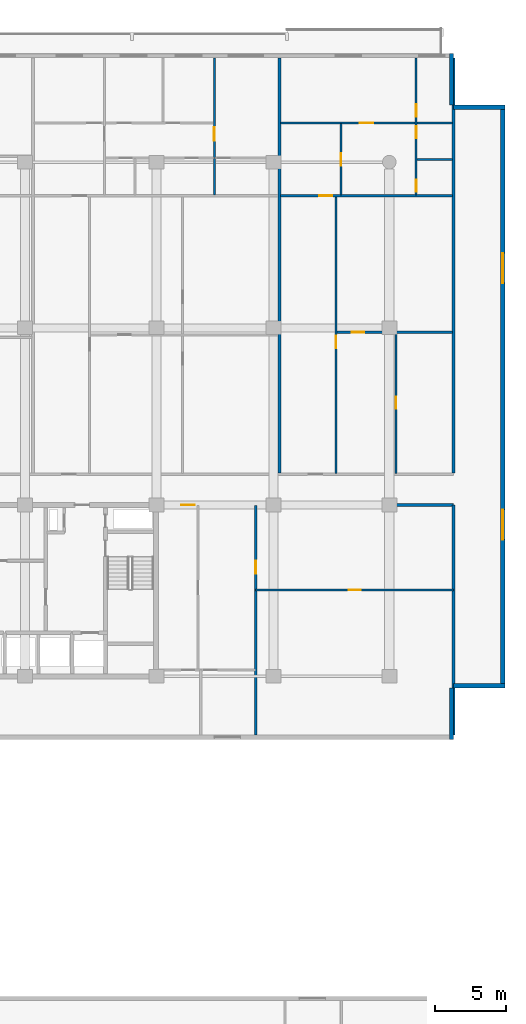
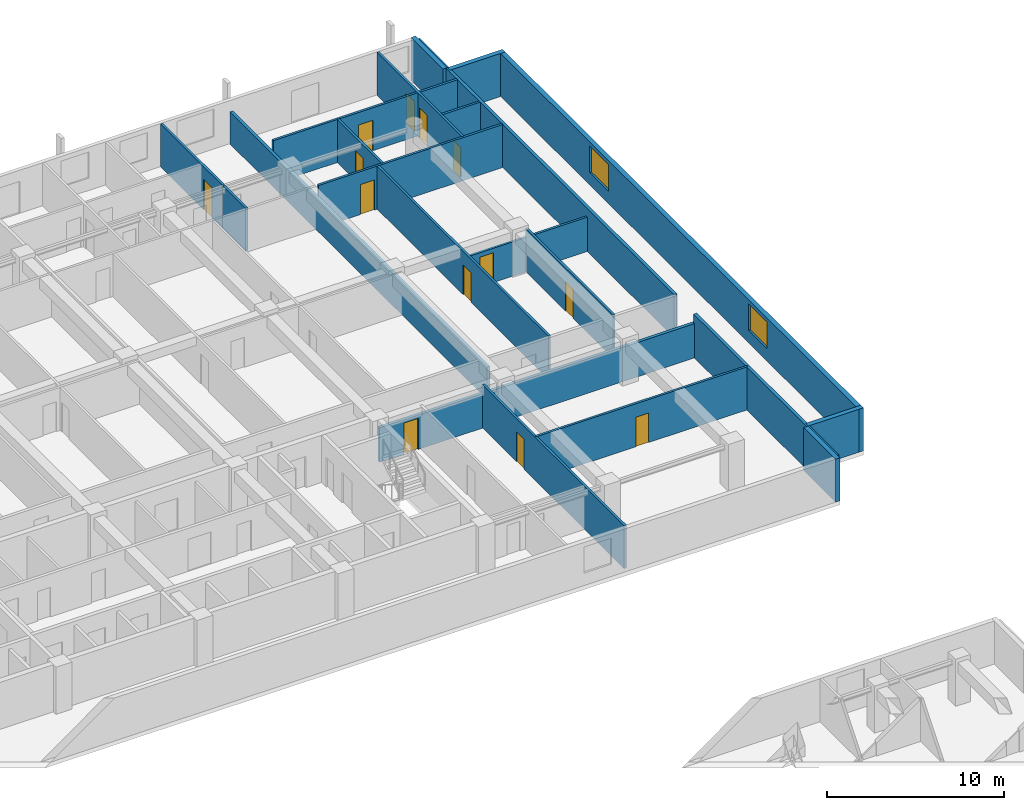
# One storey, part 17 of 23: 21 walls, 13 doors, 2 windows, 15 openings.
"""IFC4 building model written with IfcOpenShell, lengths in metres."""

from ifc_helpers import new_model, si_unit, direction, frame, frame_2d, origin, place, context, subcontext, project, spatial, rectangle, extrude, material, layer, layer_set, type_object, element, fill, save


model = new_model("IFC4")

# Units and contexts
model_context = context("Model", 3, precision=1e-05, world=origin(), true_north=direction((0.0, 1.0)))
body_context = subcontext(model_context, "Body", "Model", "MODEL_VIEW")
ifc_project = project(units=[si_unit("LENGTHUNIT", "METRE"), si_unit("AREAUNIT", "SQUARE_METRE"), si_unit("VOLUMEUNIT", "CUBIC_METRE"), si_unit("PLANEANGLEUNIT", "RADIAN"), si_unit("MASSUNIT", "GRAM", prefix="KILO")], contexts=[model_context])

# Site, building, storey
site_placement = place(None, origin())
site = spatial("IfcSite", under=ifc_project, at=site_placement, CompositionType="ELEMENT")
building_placement = place(site_placement, origin())
building = spatial("IfcBuilding", under=site, at=building_placement, Name="Korimba Cascade Residences", CompositionType="ELEMENT")
storey_placement = place(building_placement, frame((0.0, 0.0, 46.75)))
storey = spatial("IfcBuildingStorey", under=building, at=storey_placement, Name="L12", CompositionType="ELEMENT", Elevation=46.75)

# Walls
ifc_material_1 = material(Name="Precast concrete C40/50", Category="concrete")
ifc_layer_1 = layer(ifc_material_1, 0.300048828125)
ifc_layer_set_1 = layer_set([ifc_layer_1], Name="Precast concrete C40/50")
wall_type_1 = type_object("IfcWallType", Name="EW-STONE-300", PredefinedType="STANDARD", material=ifc_layer_set_1)
wall_1_placement = place(storey_placement, frame((132.75, 50.800048828125, 0.0), z_axis=(0.0, 0.0, 1.0), x_axis=(0.0, 1.0, 0.0)))
element("IfcWall", 1, at=wall_1_placement, inside=storey, type_object=wall_type_1, Name="L12 T1 Perimeter Stone Wall E01", PredefinedType="STANDARD", context=body_context, shape_type="SweptSolid", body=[
    extrude(rectangle(XDim=3.599853515625, YDim=0.300048828125, at=frame_2d((1.7998046875, 0.0))), origin(), (0.0, 0.0, 1.0), 2.969970703125),
])
wall_2_placement = place(storey_placement, frame((132.89990234375, 54.550048828125, 0.0), z_axis=(0.0, 0.0, 1.0), x_axis=(1.0, 0.0, 0.0)))
element("IfcWall", 2, at=wall_2_placement, inside=storey, type_object=wall_type_1, Name="L12 T1 Perimeter Stone Wall E02", PredefinedType="STANDARD", context=body_context, shape_type="SweptSolid", body=[
    extrude(rectangle(XDim=3.60009765625, YDim=0.300048828125, at=frame_2d((1.800048828125, 0.0))), origin(), (0.0, 0.0, 1.0), 2.969970703125),
])

# Wall, openings, windows
wall_3_placement = place(storey_placement, frame((136.35009765625, 54.39990234375, 0.0), z_axis=(0.0, 0.0, 1.0), x_axis=(0.0, 1.0, 0.0)))
wall_3 = element("IfcWall", 3, at=wall_3_placement, inside=storey, type_object=wall_type_1, Name="L12 T1 Perimeter Stone Wall E03", PredefinedType="STANDARD", context=body_context, shape_type="SweptSolid", body=[
    extrude(rectangle(XDim=40.800048828125, YDim=0.300048828125, at=frame_2d((20.39990234375, 0.0))), origin(), (0.0, 0.0, 1.0), 2.969970703125),
])
opening_1_placement = place(wall_3_placement, frame((10.3740234375, 0.0, 0.85009765625)))
opening_1 = element("IfcOpeningElement", 4, at=opening_1_placement, cuts=wall_3, Name="Opening W-03", PredefinedType="OPENING", context=body_context, shape_type="SweptSolid", body=[
    extrude(rectangle(XDim=2.10009765625, YDim=1.85009765625, at=frame_2d((1.050048828125, 0.925048828125))), frame((0.0, 0.16015625, 0.0), z_axis=(0.0, -1.0, 0.0), x_axis=(1.0, 0.0, 0.0)), (0.0, 0.0, 1.0), 0.320068359375),
])
opening_2_placement = place(wall_3_placement, frame((28.325927734375, 0.0, 0.85009765625)))
opening_2 = element("IfcOpeningElement", 5, at=opening_2_placement, cuts=wall_3, Name="Opening W-03", PredefinedType="OPENING", context=body_context, shape_type="SweptSolid", body=[
    extrude(rectangle(XDim=2.10009765625, YDim=1.85009765625, at=frame_2d((1.050048828125, 0.925048828125))), frame((0.0, 0.16015625, 0.0), z_axis=(0.0, -1.0, 0.0), x_axis=(1.0, 0.0, 0.0)), (0.0, 0.0, 1.0), 0.320068359375),
])
ifc_material_2 = material(Name="Double-Glazed Aluminium Window", Category="aluminium")
window_type = type_object("IfcWindowType", Name="WIN-CRN-2100", PartitioningType="DOUBLE_PANEL_HORIZONTAL", PredefinedType="WINDOW", material=ifc_material_2)
window_1_placement = place(opening_1_placement, origin())
window_1 = element("IfcWindow", 6, at=window_1_placement, inside=storey, type_object=window_type, Name="L12 T1 End View Window 3.1", OverallHeight=1.85009765625, OverallWidth=2.10009765625, PartitioningType="DOUBLE_PANEL_HORIZONTAL", PredefinedType="WINDOW", context=body_context, shape_type="SweptSolid", body=[
    extrude(rectangle(XDim=2.10009765625, YDim=1.85009765625, at=frame_2d((1.050048828125, 0.925048828125))), frame((0.0, 0.030029296875, 0.0), z_axis=(0.0, -1.0, 0.0), x_axis=(1.0, 0.0, 0.0)), (0.0, 0.0, 1.0), 0.06005859375),
])
fill(opening_1, window_1)
window_2_placement = place(opening_2_placement, origin())
window_2 = element("IfcWindow", 7, at=window_2_placement, inside=storey, type_object=window_type, Name="L12 T1 End View Window 3.2", OverallHeight=1.85009765625, OverallWidth=2.10009765625, PartitioningType="DOUBLE_PANEL_HORIZONTAL", PredefinedType="WINDOW", context=body_context, shape_type="SweptSolid", body=[
    extrude(rectangle(XDim=2.10009765625, YDim=1.85009765625, at=frame_2d((1.050048828125, 0.925048828125))), frame((0.0, 0.030029296875, 0.0), z_axis=(0.0, -1.0, 0.0), x_axis=(1.0, 0.0, 0.0)), (0.0, 0.0, 1.0), 0.06005859375),
])
fill(opening_2, window_2)

# Walls
for number, where, z_axis, x_axis, name in (
    (8, (136.5, 95.050048828125, 0.0), (0.0, 0.0, 1.0), (-1.0, 0.0, 0.0), "L12 T1 Perimeter Stone Wall E04"),
    (9, (132.75, 95.199951171875, 0.0), (0.0, 0.0, 1.0), (0.0, 1.0, 0.0), "L12 T1 Perimeter Stone Wall E05"),
):
    element("IfcWall", number, at=place(storey_placement, frame(where, z_axis=z_axis, x_axis=x_axis)), inside=storey, type_object=wall_type_1, Name=name, PredefinedType="STANDARD", context=body_context, shape_type="SweptSolid", body=[
        extrude(rectangle(XDim=3.60009765625, YDim=0.300048828125, at=frame_2d((1.800048828125, 0.0))), origin(), (0.0, 0.0, 1.0), 2.969970703125),
    ])
ifc_layer_2 = layer(ifc_material_1, 0.199951171875)
ifc_layer_set_2 = layer_set([ifc_layer_2], Name="Precast concrete C40/50")
wall_type_2 = type_object("IfcWallType", Name="WAL-IT-200", PredefinedType="PARTITIONING", material=ifc_layer_set_2)
wall_4_placement = place(storey_placement, frame((132.89990234375, 51.10009765625, 0.0), z_axis=(0.0, 0.0, 1.0), x_axis=(0.0, 1.0, 0.0)))
element("IfcWall", 10, at=wall_4_placement, inside=storey, type_object=wall_type_2, Name="L12 Partition Wall WAL-L12-T1-FE-WR", PredefinedType="PARTITIONING", context=body_context, shape_type="SweptSolid", body=[
    extrude(rectangle(XDim=16.099853515625, YDim=0.199951171875, at=frame_2d((8.0498046875, 0.0))), origin(), (0.0, 0.0, 1.0), 2.969970703125),
])

# Wall, opening, door
wall_5_placement = place(storey_placement, frame((112.25, 67.199951171875, 0.0), z_axis=(0.0, 0.0, 1.0), x_axis=(1.0, 0.0, 0.0)))
wall_5 = element("IfcWall", 11, at=wall_5_placement, inside=storey, type_object=wall_type_2, Name="L12 Partition Wall WAL-L12-T1-FE-N", PredefinedType="PARTITIONING", context=body_context, shape_type="SweptSolid", body=[
    extrude(rectangle(XDim=20.64990234375, YDim=0.199951171875, at=frame_2d((10.324951171875, 0.0))), origin(), (0.0, 0.0, 1.0), 2.3701171875),
])
opening_3_placement = place(wall_5_placement, frame((1.580078125, 0.0, 0.0)))
opening_3 = element("IfcOpeningElement", 12, at=opening_3_placement, cuts=wall_5, Name="Opening D-UN1", PredefinedType="OPENING", context=body_context, shape_type="SweptSolid", body=[
    extrude(rectangle(XDim=0.949951171875, YDim=2.14990234375, at=frame_2d((0.47509765625, 1.074951171875))), frame((0.0, 0.10986328125, 0.0), z_axis=(0.0, -1.0, 0.0), x_axis=(1.0, 0.0, 0.0)), (0.0, 0.0, 1.0), 0.219970703125),
])
ifc_material_3 = material(Name="Fire-Rated Hardwood Apartment Entrance Door", Category="wood")
door_type_1 = type_object("IfcDoorType", Name="DR-FD60-950", OperationType="NOTDEFINED", PredefinedType="DOOR", material=ifc_material_3)
door_1_placement = place(opening_3_placement, origin())
door_1 = element("IfcDoor", 13, at=door_1_placement, inside=storey, type_object=door_type_1, Name="L12-T1-FE Entrance Door", OperationType="SINGLE_SWING_LEFT", OverallHeight=2.14990234375, OverallWidth=0.949951171875, PredefinedType="DOOR", context=body_context, shape_type="SweptSolid", body=[
    extrude(rectangle(XDim=0.949951171875, YDim=2.14990234375, at=frame_2d((0.47509765625, 1.074951171875))), frame((0.0, 0.02490234375, 0.0), z_axis=(0.0, -1.0, 0.0), x_axis=(1.0, 0.0, 0.0)), (0.0, 0.0, 1.0), 0.050048828125),
])
fill(opening_3, door_1)

# Walls
wall_6_placement = place(storey_placement, frame((132.89990234375, 69.429931640625, 0.0), z_axis=(0.0, 0.0, 1.0), x_axis=(0.0, 1.0, 0.0)))
element("IfcWall", 14, at=wall_6_placement, inside=storey, type_object=wall_type_2, Name="L12 Partition Wall WAL-L12-T1-BNDWR", PredefinedType="PARTITIONING", context=body_context, shape_type="SweptSolid", body=[
    extrude(rectangle(XDim=29.070068359375, YDim=0.199951171875, at=frame_2d((14.53515625, 0.0))), origin(), (0.0, 0.0, 1.0), 2.969970703125),
])
wall_7_placement = place(storey_placement, frame((120.70458984375, 69.429931640625, 0.0), z_axis=(0.0, 0.0, 1.0), x_axis=(0.0, 1.0, 0.0)))
element("IfcWall", 15, at=wall_7_placement, inside=storey, type_object=wall_type_2, Name="L12 Partition Wall WAL-L12-T1-DEM-4", PredefinedType="PARTITIONING", context=body_context, shape_type="SweptSolid", body=[
    extrude(rectangle(XDim=29.070068359375, YDim=0.199951171875, at=frame_2d((14.53515625, 0.0))), origin(), (0.0, 0.0, 1.0), 2.219970703125),
])

# Wall, opening, door
ifc_material_4 = material(Name="Insulated Acoustic Stud Partition", Category="gypsum")
ifc_layer_3 = layer(ifc_material_4, 0.14990234375)
ifc_layer_set_3 = layer_set([ifc_layer_3], Name="Insulated Acoustic Stud Partition")
wall_type_3 = type_object("IfcWallType", Name="WAL-PART-150", PredefinedType="PARTITIONING", material=ifc_layer_set_3)
wall_8_placement = place(storey_placement, frame((119.050048828125, 61.25, 0.0), z_axis=(0.0, 0.0, 1.0), x_axis=(1.0, 0.0, 0.0)))
wall_8 = element("IfcWall", 16, at=wall_8_placement, inside=storey, type_object=wall_type_3, Name="L12 Partition Wall WAL-L12-T1-FE-STH", PredefinedType="PARTITIONING", context=body_context, shape_type="SweptSolid", body=[
    extrude(rectangle(XDim=13.849853515625, YDim=0.14990234375, at=frame_2d((6.9248046875, 0.0))), origin(), (0.0, 0.0, 1.0), 2.969970703125),
])
opening_4_placement = place(wall_8_placement, frame((6.5048828125, 0.0, 0.0)))
opening_4 = element("IfcOpeningElement", 17, at=opening_4_placement, cuts=wall_8, Name="Opening D-BT1", PredefinedType="OPENING", context=body_context, shape_type="SweptSolid", body=[
    extrude(rectangle(XDim=0.840087890625, YDim=2.0400390625, at=frame_2d((0.419921875, 1.02001953125))), frame((0.0, 0.0849609375, 0.0), z_axis=(0.0, -1.0, 0.0), x_axis=(1.0, 0.0, 0.0)), (0.0, 0.0, 1.0), 0.169921875),
])
ifc_material_5 = material(Name="Moisture-Resistant Bathroom Timber Door", Category="wood")
door_type_2 = type_object("IfcDoorType", Name="DR-INT-850", OperationType="NOTDEFINED", PredefinedType="DOOR", material=ifc_material_5)
door_2_placement = place(opening_4_placement, origin())
door_2 = element("IfcDoor", 18, at=door_2_placement, inside=storey, type_object=door_type_2, Name="L12-T1-FE Dressing Store Door", OperationType="SINGLE_SWING_RIGHT", OverallHeight=2.0400390625, OverallWidth=0.840087890625, PredefinedType="DOOR", context=body_context, shape_type="SweptSolid", body=[
    extrude(rectangle(XDim=0.840087890625, YDim=2.0400390625, at=frame_2d((0.419921875, 1.02001953125))), frame((0.0, 0.02490234375, 0.0), z_axis=(0.0, -1.0, 0.0), x_axis=(1.0, 0.0, 0.0)), (0.0, 0.0, 1.0), 0.050048828125),
])
fill(opening_4, door_2)

wall_9_placement = place(storey_placement, frame((119.050048828125, 51.10009765625, 0.0), z_axis=(0.0, 0.0, 1.0), x_axis=(0.0, 1.0, 0.0)))
wall_9 = element("IfcWall", 19, at=wall_9_placement, inside=storey, type_object=wall_type_3, Name="L12 Partition Wall WAL-L12-T1-FE-STV", PredefinedType="PARTITIONING", context=body_context, shape_type="SweptSolid", body=[
    extrude(rectangle(XDim=16.0498046875, YDim=0.14990234375, at=frame_2d((8.02490234375, 0.0))), origin(), (0.0, 0.0, 1.0), 2.969970703125),
])
opening_5_placement = place(wall_9_placement, frame((11.300048828125, 0.0, 0.0)))
opening_5 = element("IfcOpeningElement", 20, at=opening_5_placement, cuts=wall_9, Name="Opening D-IN2", PredefinedType="OPENING", context=body_context, shape_type="SweptSolid", body=[
    extrude(rectangle(XDim=0.8798828125, YDim=2.06005859375, at=frame_2d((0.43994140625, 1.030029296875))), frame((0.0, 0.0849609375, 0.0), z_axis=(0.0, -1.0, 0.0), x_axis=(1.0, 0.0, 0.0)), (0.0, 0.0, 1.0), 0.169921875),
])
ifc_material_6 = material(Name="Acoustic Timber Bedroom Door", Category="wood")
door_type_3 = type_object("IfcDoorType", Name="DR-INT-880", OperationType="NOTDEFINED", PredefinedType="DOOR", material=ifc_material_6)
door_3_placement = place(opening_5_placement, origin())
door_3 = element("IfcDoor", 21, at=door_3_placement, inside=storey, type_object=door_type_3, Name="L12-T1-FE Study Door", OperationType="SINGLE_SWING_LEFT", OverallHeight=2.06005859375, OverallWidth=0.8798828125, PredefinedType="DOOR", context=body_context, shape_type="SweptSolid", body=[
    extrude(rectangle(XDim=0.8798828125, YDim=2.06005859375, at=frame_2d((0.43994140625, 1.030029296875))), frame((0.0, 0.02490234375, 0.0), z_axis=(0.0, -1.0, 0.0), x_axis=(1.0, 0.0, 0.0)), (0.0, 0.0, 1.0), 0.050048828125),
])
fill(opening_5, door_3)

# Wall
wall_10_placement = place(storey_placement, frame((116.154541015625, 88.889892578125, 0.0), z_axis=(0.0, 0.0, 1.0), x_axis=(0.0, 1.0, 0.0)))
element("IfcWall", 22, at=wall_10_placement, inside=storey, type_object=wall_type_3, Name="L12 Partition Wall WAL-L12-T1-U04-VBATH", PredefinedType="PARTITIONING", context=body_context, shape_type="SweptSolid", body=[
    extrude(rectangle(XDim=2.580078125, YDim=0.14990234375, at=frame_2d((1.2900390625, 0.0))), origin(), (0.0, 0.0, 1.0), 2.969970703125),
])

# Wall, opening, door
wall_11_placement = place(storey_placement, frame((116.154541015625, 91.510009765625, 0.0), z_axis=(0.0, 0.0, 1.0), x_axis=(0.0, 1.0, 0.0)))
wall_11 = element("IfcWall", 23, at=wall_11_placement, inside=storey, type_object=wall_type_3, Name="L12 Partition Wall WAL-L12-T1-U04-V2FULL", PredefinedType="PARTITIONING", context=body_context, shape_type="SweptSolid", body=[
    extrude(rectangle(XDim=6.989990234375, YDim=0.14990234375, at=frame_2d((3.4951171875, 0.0))), origin(), (0.0, 0.0, 1.0), 2.969970703125),
])
opening_6_placement = place(wall_11_placement, frame((1.199951171875, 0.0, 0.0)))
opening_6 = element("IfcOpeningElement", 24, at=opening_6_placement, cuts=wall_11, Name="Opening D-IN1", PredefinedType="OPENING", context=body_context, shape_type="SweptSolid", body=[
    extrude(rectangle(XDim=0.919921875, YDim=2.080078125, at=frame_2d((0.4599609375, 1.0400390625))), frame((0.0, 0.0849609375, 0.0), z_axis=(0.0, -1.0, 0.0), x_axis=(1.0, 0.0, 0.0)), (0.0, 0.0, 1.0), 0.169921875),
])
ifc_material_7 = material(Name="Acoustic Timber Living Door", Category="wood")
door_type_4 = type_object("IfcDoorType", Name="DR-INT-920", OperationType="NOTDEFINED", PredefinedType="DOOR", material=ifc_material_7)
door_4_placement = place(opening_6_placement, origin())
door_4 = element("IfcDoor", 25, at=door_4_placement, inside=storey, type_object=door_type_4, Name="L12-T1-U04 Master Bedroom Door", OperationType="SINGLE_SWING_RIGHT", OverallHeight=2.080078125, OverallWidth=0.919921875, PredefinedType="DOOR", context=body_context, shape_type="SweptSolid", body=[
    extrude(rectangle(XDim=0.919921875, YDim=2.080078125, at=frame_2d((0.4599609375, 1.0400390625))), frame((0.0, 0.02490234375, 0.0), z_axis=(0.0, -1.0, 0.0), x_axis=(1.0, 0.0, 0.0)), (0.0, 0.0, 1.0), 0.050048828125),
])
fill(opening_6, door_4)

wall_12_placement = place(storey_placement, frame((128.877197265625, 69.409912109375, 0.0), z_axis=(0.0, 0.0, 1.0), x_axis=(0.0, 1.0, 0.0)))
wall_12 = element("IfcWall", 26, at=wall_12_placement, inside=storey, type_object=wall_type_3, Name="L12 Partition Wall WAL-L12-T1-U05-FMV", PredefinedType="PARTITIONING", context=body_context, shape_type="SweptSolid", body=[
    extrude(rectangle(XDim=9.880126953125, YDim=0.14990234375, at=frame_2d((4.93994140625, 0.0))), origin(), (0.0, 0.0, 1.0), 2.969970703125),
])
opening_7_placement = place(wall_12_placement, frame((4.52001953125, 0.0, 0.0)))
opening_7 = element("IfcOpeningElement", 27, at=opening_7_placement, cuts=wall_12, Name="Opening D-BT1", PredefinedType="OPENING", context=body_context, shape_type="SweptSolid", body=[
    extrude(rectangle(XDim=0.840087890625, YDim=2.0400390625, at=frame_2d((0.419921875, 1.02001953125))), frame((0.0, 0.0849609375, 0.0), z_axis=(0.0, -1.0, 0.0), x_axis=(1.0, 0.0, 0.0)), (0.0, 0.0, 1.0), 0.169921875),
])
door_5_placement = place(opening_7_placement, origin())
door_5 = element("IfcDoor", 28, at=door_5_placement, inside=storey, type_object=door_type_2, Name="L12-T1-U05 Wardrobe Door", OperationType="SINGLE_SWING_RIGHT", OverallHeight=2.0400390625, OverallWidth=0.840087890625, PredefinedType="DOOR", context=body_context, shape_type="SweptSolid", body=[
    extrude(rectangle(XDim=0.840087890625, YDim=2.0400390625, at=frame_2d((0.419921875, 1.02001953125))), frame((0.0, 0.02490234375, 0.0), z_axis=(0.0, -1.0, 0.0), x_axis=(1.0, 0.0, 0.0)), (0.0, 0.0, 1.0), 0.050048828125),
])
fill(opening_7, door_5)

wall_13_placement = place(storey_placement, frame((124.734619140625, 79.2900390625, 0.0), z_axis=(0.0, 0.0, 1.0), x_axis=(1.0, 0.0, 0.0)))
wall_13 = element("IfcWall", 29, at=wall_13_placement, inside=storey, type_object=wall_type_3, Name="L12 Partition Wall WAL-L12-T1-U05-FMH", PredefinedType="PARTITIONING", context=body_context, shape_type="SweptSolid", body=[
    extrude(rectangle(XDim=8.08544921875, YDim=0.14990234375, at=frame_2d((4.042724609375, 0.0))), origin(), (0.0, 0.0, 1.0), 2.3701171875),
])
opening_8_placement = place(wall_13_placement, frame((1.050048828125, 0.0, 0.0)))
opening_8 = element("IfcOpeningElement", 30, at=opening_8_placement, cuts=wall_13, Name="Opening D-IN2", PredefinedType="OPENING", context=body_context, shape_type="SweptSolid", body=[
    extrude(rectangle(XDim=0.8798828125, YDim=2.06005859375, at=frame_2d((0.43994140625, 1.030029296875))), frame((0.0, 0.0849609375, 0.0), z_axis=(0.0, -1.0, 0.0), x_axis=(1.0, 0.0, 0.0)), (0.0, 0.0, 1.0), 0.169921875),
])
door_6_placement = place(opening_8_placement, origin())
door_6 = element("IfcDoor", 31, at=door_6_placement, inside=storey, type_object=door_type_3, Name="L12-T1-U05 Library Salon Door", OperationType="SINGLE_SWING_LEFT", OverallHeight=2.06005859375, OverallWidth=0.8798828125, PredefinedType="DOOR", context=body_context, shape_type="SweptSolid", body=[
    extrude(rectangle(XDim=0.8798828125, YDim=2.06005859375, at=frame_2d((0.43994140625, 1.030029296875))), frame((0.0, 0.02490234375, 0.0), z_axis=(0.0, -1.0, 0.0), x_axis=(1.0, 0.0, 0.0)), (0.0, 0.0, 1.0), 0.050048828125),
])
fill(opening_8, door_6)

wall_14_placement = place(storey_placement, frame((124.674560546875, 69.409912109375, 0.0), z_axis=(0.0, 0.0, 1.0), x_axis=(0.0, 1.0, 0.0)))
wall_14 = element("IfcWall", 32, at=wall_14_placement, inside=storey, type_object=wall_type_3, Name="L12 Partition Wall WAL-L12-T1-U05-FV", PredefinedType="PARTITIONING", context=body_context, shape_type="SweptSolid", body=[
    extrude(rectangle(XDim=19.400146484375, YDim=0.14990234375, at=frame_2d((9.7001953125, 0.0))), origin(), (0.0, 0.0, 1.0), 2.969970703125),
])
opening_9_placement = place(wall_14_placement, frame((8.75, 0.0, 0.0)))
opening_9 = element("IfcOpeningElement", 33, at=opening_9_placement, cuts=wall_14, Name="Opening D-IN2", PredefinedType="OPENING", context=body_context, shape_type="SweptSolid", body=[
    extrude(rectangle(XDim=0.8798828125, YDim=2.06005859375, at=frame_2d((0.43994140625, 1.030029296875))), frame((0.0, 0.0849609375, 0.0), z_axis=(0.0, -1.0, 0.0), x_axis=(1.0, 0.0, 0.0)), (0.0, 0.0, 1.0), 0.169921875),
])
door_7_placement = place(opening_9_placement, origin())
door_7 = element("IfcDoor", 34, at=door_7_placement, inside=storey, type_object=door_type_3, Name="L12-T1-U05 Media Lounge Door", OperationType="SINGLE_SWING_RIGHT", OverallHeight=2.06005859375, OverallWidth=0.8798828125, PredefinedType="DOOR", context=body_context, shape_type="SweptSolid", body=[
    extrude(rectangle(XDim=0.8798828125, YDim=2.06005859375, at=frame_2d((0.43994140625, 1.030029296875))), frame((0.0, 0.02490234375, 0.0), z_axis=(0.0, -1.0, 0.0), x_axis=(1.0, 0.0, 0.0)), (0.0, 0.0, 1.0), 0.050048828125),
])
fill(opening_9, door_7)

wall_15_placement = place(storey_placement, frame((125.024658203125, 88.889892578125, 0.0), z_axis=(0.0, 0.0, 1.0), x_axis=(0.0, 1.0, 0.0)))
wall_15 = element("IfcWall", 35, at=wall_15_placement, inside=storey, type_object=wall_type_3, Name="L12 Partition Wall WAL-L12-T1-U05-VDIN", PredefinedType="PARTITIONING", context=body_context, shape_type="SweptSolid", body=[
    extrude(rectangle(XDim=5.0, YDim=0.14990234375, at=frame_2d((2.5, 0.0))), origin(), (0.0, 0.0, 1.0), 2.969970703125),
])
opening_10_placement = place(wall_15_placement, frame((2.06005859375, 0.0, 0.0)))
opening_10 = element("IfcOpeningElement", 36, at=opening_10_placement, cuts=wall_15, Name="Opening D-IN2", PredefinedType="OPENING", context=body_context, shape_type="SweptSolid", body=[
    extrude(rectangle(XDim=0.8798828125, YDim=2.06005859375, at=frame_2d((0.43994140625, 1.030029296875))), frame((0.0, 0.0849609375, 0.0), z_axis=(0.0, -1.0, 0.0), x_axis=(1.0, 0.0, 0.0)), (0.0, 0.0, 1.0), 0.169921875),
])
door_8_placement = place(opening_10_placement, origin())
door_8 = element("IfcDoor", 37, at=door_8_placement, inside=storey, type_object=door_type_3, Name="L12-T1-U05 Dining Room Door", OperationType="SINGLE_SWING_LEFT", OverallHeight=2.06005859375, OverallWidth=0.8798828125, PredefinedType="DOOR", context=body_context, shape_type="SweptSolid", body=[
    extrude(rectangle(XDim=0.8798828125, YDim=2.06005859375, at=frame_2d((0.43994140625, 1.030029296875))), frame((0.0, 0.02490234375, 0.0), z_axis=(0.0, -1.0, 0.0), x_axis=(1.0, 0.0, 0.0)), (0.0, 0.0, 1.0), 0.050048828125),
])
fill(opening_10, door_8)

# Wall
wall_16_placement = place(storey_placement, frame((130.340087890625, 91.389892578125, 0.0), z_axis=(0.0, 0.0, 1.0), x_axis=(1.0, 0.0, 0.0)))
element("IfcWall", 38, at=wall_16_placement, inside=storey, type_object=wall_type_3, Name="L12 Partition Wall WAL-L12-T1-U05-BLDIV", PredefinedType="PARTITIONING", context=body_context, shape_type="SweptSolid", body=[
    extrude(rectangle(XDim=2.47998046875, YDim=0.14990234375, at=frame_2d((1.239990234375, 0.0))), origin(), (0.0, 0.0, 1.0), 2.969970703125),
])

# Wall, openings, doors
wall_17_placement = place(storey_placement, frame((130.280029296875, 88.889892578125, 0.0), z_axis=(0.0, 0.0, 1.0), x_axis=(0.0, 1.0, 0.0)))
wall_17 = element("IfcWall", 39, at=wall_17_placement, inside=storey, type_object=wall_type_3, Name="L12 Partition Wall WAL-L12-T1-U05-V1", PredefinedType="PARTITIONING", context=body_context, shape_type="SweptSolid", body=[
    extrude(rectangle(XDim=9.610107421875, YDim=0.14990234375, at=frame_2d((4.80517578125, 0.0))), origin(), (0.0, 0.0, 1.0), 2.969970703125),
])
opening_11_placement = place(wall_17_placement, frame((0.239990234375, 0.0, 0.0)))
opening_11 = element("IfcOpeningElement", 40, at=opening_11_placement, cuts=wall_17, Name="Opening D-BT1", PredefinedType="OPENING", context=body_context, shape_type="SweptSolid", body=[
    extrude(rectangle(XDim=0.840087890625, YDim=2.0400390625, at=frame_2d((0.419921875, 1.02001953125))), frame((0.0, 0.0849609375, 0.0), z_axis=(0.0, -1.0, 0.0), x_axis=(1.0, 0.0, 0.0)), (0.0, 0.0, 1.0), 0.169921875),
])
opening_12_placement = place(wall_17_placement, frame((3.966552734375, 0.0, 0.0)))
opening_12 = element("IfcOpeningElement", 41, at=opening_12_placement, cuts=wall_17, Name="Opening D-BT1", PredefinedType="OPENING", context=body_context, shape_type="SweptSolid", body=[
    extrude(rectangle(XDim=0.840087890625, YDim=2.0400390625, at=frame_2d((0.419921875, 1.02001953125))), frame((0.0, 0.0849609375, 0.0), z_axis=(0.0, -1.0, 0.0), x_axis=(1.0, 0.0, 0.0)), (0.0, 0.0, 1.0), 0.169921875),
])
opening_13_placement = place(wall_17_placement, frame((5.47998046875, 0.0, 0.0)))
opening_13 = element("IfcOpeningElement", 42, at=opening_13_placement, cuts=wall_17, Name="Opening D-IN2", PredefinedType="OPENING", context=body_context, shape_type="SweptSolid", body=[
    extrude(rectangle(XDim=0.8798828125, YDim=2.06005859375, at=frame_2d((0.43994140625, 1.030029296875))), frame((0.0, 0.0849609375, 0.0), z_axis=(0.0, -1.0, 0.0), x_axis=(1.0, 0.0, 0.0)), (0.0, 0.0, 1.0), 0.169921875),
])
door_9_placement = place(opening_11_placement, origin())
door_9 = element("IfcDoor", 43, at=door_9_placement, inside=storey, type_object=door_type_2, Name="L12-T1-U05 Bathroom Door", OperationType="SINGLE_SWING_RIGHT", OverallHeight=2.0400390625, OverallWidth=0.840087890625, PredefinedType="DOOR", context=body_context, shape_type="SweptSolid", body=[
    extrude(rectangle(XDim=0.840087890625, YDim=2.0400390625, at=frame_2d((0.419921875, 1.02001953125))), frame((0.0, 0.02490234375, 0.0), z_axis=(0.0, -1.0, 0.0), x_axis=(1.0, 0.0, 0.0)), (0.0, 0.0, 1.0), 0.050048828125),
])
fill(opening_11, door_9)
door_10_placement = place(opening_12_placement, origin())
door_10 = element("IfcDoor", 44, at=door_10_placement, inside=storey, type_object=door_type_2, Name="L12-T1-U05 Laundry Door", OperationType="SINGLE_SWING_LEFT", OverallHeight=2.0400390625, OverallWidth=0.840087890625, PredefinedType="DOOR", context=body_context, shape_type="SweptSolid", body=[
    extrude(rectangle(XDim=0.840087890625, YDim=2.0400390625, at=frame_2d((0.419921875, 1.02001953125))), frame((0.0, 0.02490234375, 0.0), z_axis=(0.0, -1.0, 0.0), x_axis=(1.0, 0.0, 0.0)), (0.0, 0.0, 1.0), 0.050048828125),
])
fill(opening_12, door_10)
door_11_placement = place(opening_13_placement, origin())
door_11 = element("IfcDoor", 45, at=door_11_placement, inside=storey, type_object=door_type_3, Name="L12-T1-U05 Bedroom 1 Door", OperationType="SINGLE_SWING_RIGHT", OverallHeight=2.06005859375, OverallWidth=0.8798828125, PredefinedType="DOOR", context=body_context, shape_type="SweptSolid", body=[
    extrude(rectangle(XDim=0.8798828125, YDim=2.06005859375, at=frame_2d((0.43994140625, 1.030029296875))), frame((0.0, 0.02490234375, 0.0), z_axis=(0.0, -1.0, 0.0), x_axis=(1.0, 0.0, 0.0)), (0.0, 0.0, 1.0), 0.050048828125),
])
fill(opening_13, door_11)

# Wall, opening, door
wall_18_placement = place(storey_placement, frame((120.78466796875, 88.85009765625, 0.0), z_axis=(0.0, 0.0, 1.0), x_axis=(1.0, 0.0, 0.0)))
wall_18 = element("IfcWall", 46, at=wall_18_placement, inside=storey, type_object=wall_type_3, Name="L12 Partition Wall WAL-L12-T1-U05-MW", PredefinedType="PARTITIONING", context=body_context, shape_type="SweptSolid", body=[
    extrude(rectangle(XDim=12.035400390625, YDim=0.14990234375, at=frame_2d((6.017578125, 0.0))), origin(), (0.0, 0.0, 1.0), 2.969970703125),
])
opening_14_placement = place(wall_18_placement, frame((2.719970703125, 0.0, 0.0)))
opening_14 = element("IfcOpeningElement", 47, at=opening_14_placement, cuts=wall_18, Name="Opening D-IN1", PredefinedType="OPENING", context=body_context, shape_type="SweptSolid", body=[
    extrude(rectangle(XDim=0.919921875, YDim=2.080078125, at=frame_2d((0.4599609375, 1.0400390625))), frame((0.0, 0.0849609375, 0.0), z_axis=(0.0, -1.0, 0.0), x_axis=(1.0, 0.0, 0.0)), (0.0, 0.0, 1.0), 0.169921875),
])
door_12_placement = place(opening_14_placement, origin())
door_12 = element("IfcDoor", 48, at=door_12_placement, inside=storey, type_object=door_type_4, Name="L12-T1-U05 Kitchen Archway Door", OperationType="SINGLE_SWING_LEFT", OverallHeight=2.080078125, OverallWidth=0.919921875, PredefinedType="DOOR", context=body_context, shape_type="SweptSolid", body=[
    extrude(rectangle(XDim=0.919921875, YDim=2.080078125, at=frame_2d((0.4599609375, 1.0400390625))), frame((0.0, 0.02490234375, 0.0), z_axis=(0.0, -1.0, 0.0), x_axis=(1.0, 0.0, 0.0)), (0.0, 0.0, 1.0), 0.050048828125),
])
fill(opening_14, door_12)

wall_19_placement = place(storey_placement, frame((120.78466796875, 93.949951171875, 0.0), z_axis=(0.0, 0.0, 1.0), x_axis=(1.0, 0.0, 0.0)))
wall_19 = element("IfcWall", 49, at=wall_19_placement, inside=storey, type_object=wall_type_3, Name="L12 Partition Wall WAL-L12-T1-U05-HZ", PredefinedType="PARTITIONING", context=body_context, shape_type="SweptSolid", body=[
    extrude(rectangle(XDim=12.035400390625, YDim=0.14990234375, at=frame_2d((6.017578125, 0.0))), origin(), (0.0, 0.0, 1.0), 2.969970703125),
])
opening_15_placement = place(wall_19_placement, frame((5.547607421875, 0.0, 0.0)))
opening_15 = element("IfcOpeningElement", 50, at=opening_15_placement, cuts=wall_19, Name="Opening D-IN0", PredefinedType="OPENING", context=body_context, shape_type="SweptSolid", body=[
    extrude(rectangle(XDim=0.93994140625, YDim=2.10009765625, at=frame_2d((0.469970703125, 1.050048828125))), frame((0.0, 0.0849609375, 0.0), z_axis=(0.0, -1.0, 0.0), x_axis=(1.0, 0.0, 0.0)), (0.0, 0.0, 1.0), 0.169921875),
])
ifc_material_8 = material(Name="Acoustic Timber Living Archway Door", Category="wood")
door_type_5 = type_object("IfcDoorType", Name="DR-INT-950", OperationType="NOTDEFINED", PredefinedType="DOOR", material=ifc_material_8)
door_13_placement = place(opening_15_placement, origin())
door_13 = element("IfcDoor", 51, at=door_13_placement, inside=storey, type_object=door_type_5, Name="L12-T1-U05 Living Archway Door", OperationType="SINGLE_SWING_RIGHT", OverallHeight=2.10009765625, OverallWidth=0.93994140625, PredefinedType="DOOR", context=body_context, shape_type="SweptSolid", body=[
    extrude(rectangle(XDim=0.93994140625, YDim=2.10009765625, at=frame_2d((0.469970703125, 1.050048828125))), frame((0.0, 0.02490234375, 0.0), z_axis=(0.0, -1.0, 0.0), x_axis=(1.0, 0.0, 0.0)), (0.0, 0.0, 1.0), 0.050048828125),
])
fill(opening_15, door_13)

save(model, "model.ifc")
